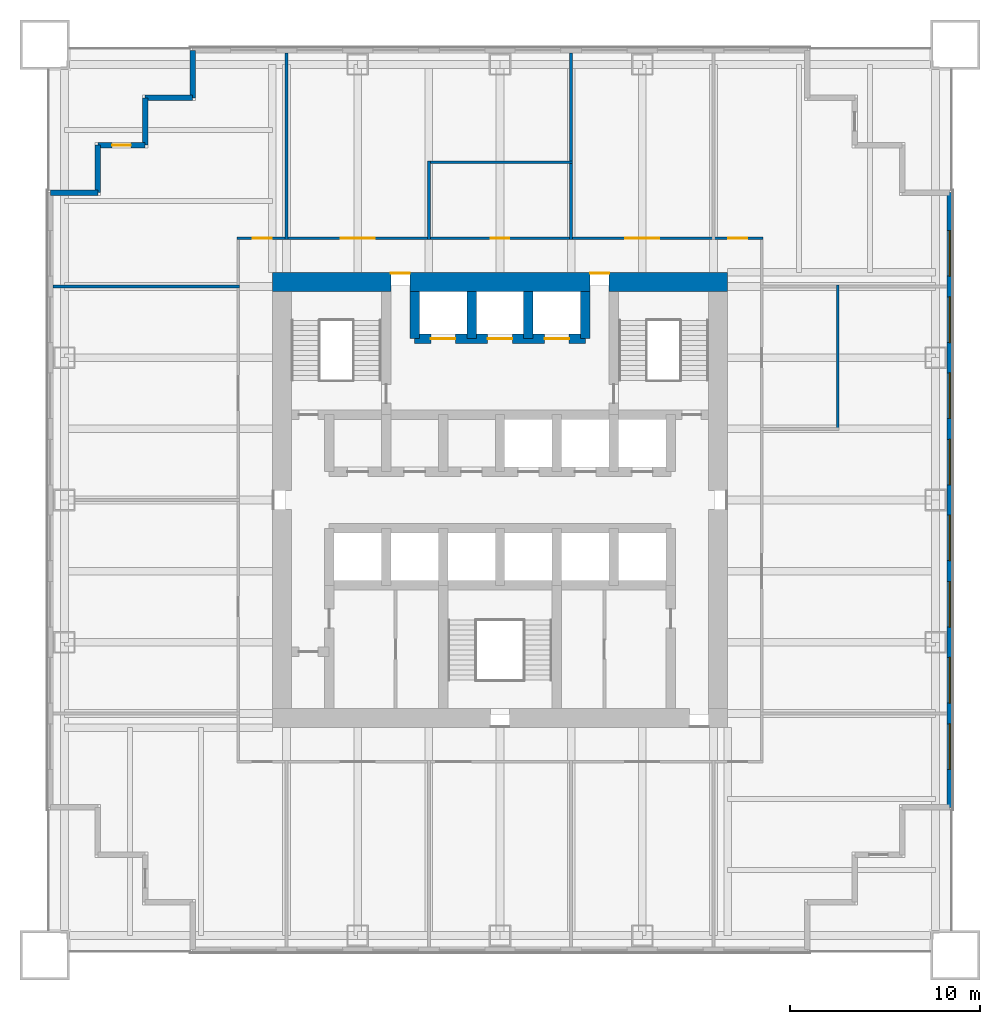
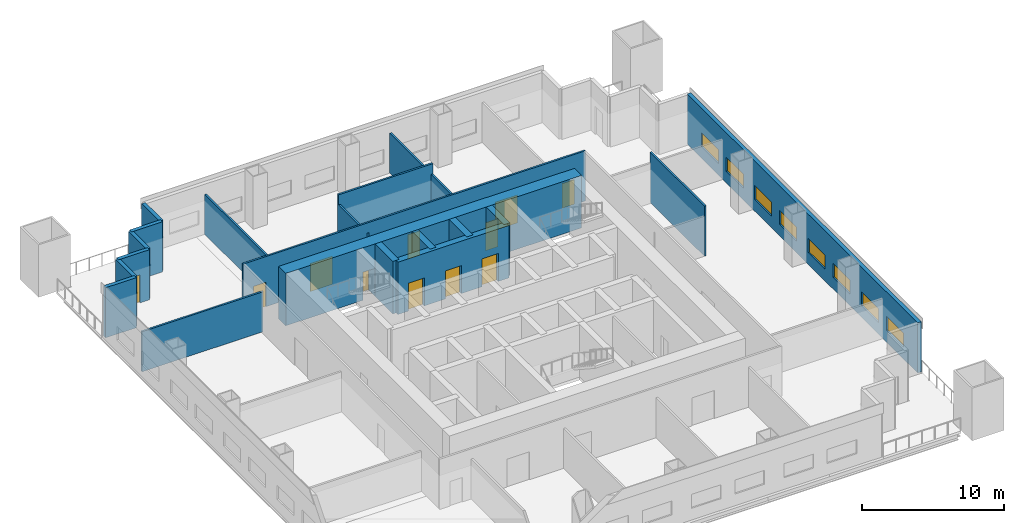
# One storey, part 4 of 7: 20 walls, 11 doors, 8 windows, 19 openings.
"""IFC4 building model written with IfcOpenShell, lengths in metres."""

from ifc_helpers import new_model, si_unit, direction, frame, frame_2d, origin, place, context, subcontext, project, spatial, rectangle, extrude, material, layer, layer_set, type_object, element, fill, save


model = new_model("IFC4")

# Units and contexts
model_context = context("Model", 3, precision=1e-05, world=origin(), true_north=direction((0.0, 1.0)))
body_context = subcontext(model_context, "Body", "Model", "MODEL_VIEW")
ifc_project = project(units=[si_unit("LENGTHUNIT", "METRE"), si_unit("AREAUNIT", "SQUARE_METRE"), si_unit("VOLUMEUNIT", "CUBIC_METRE"), si_unit("PLANEANGLEUNIT", "RADIAN"), si_unit("MASSUNIT", "GRAM", prefix="KILO")], contexts=[model_context])

# Site, building, storey
site_placement = place(None, origin())
site = spatial("IfcSite", under=ifc_project, at=site_placement, CompositionType="ELEMENT")
building_placement = place(site_placement, origin())
building = spatial("IfcBuilding", under=site, at=building_placement, Name="Tarangal Relay Tower", CompositionType="ELEMENT")
storey_placement = place(building_placement, frame((0.0, 0.0, 131.39990234375)))
storey = spatial("IfcBuildingStorey", under=building, at=storey_placement, Name="L26", CompositionType="ELEMENT", Elevation=131.39990234375)

# Wall, openings, doors
ifc_material_1 = material(Name="Concrete fc' 60 MPa", Category="concrete")
ifc_layer_1 = layer(ifc_material_1, 0.5)
ifc_layer_set_1 = layer_set([ifc_layer_1], Name="Core inner wall 500")
wall_type_1 = type_object("IfcWallType", Name="Core inner wall 500", PredefinedType="SHEAR", material=ifc_layer_set_1)
wall_1_placement = place(storey_placement, frame((-4.5, 8.5, 0.0), z_axis=(0.0, 0.0, 1.0), x_axis=(1.0, 0.0, 0.0)))
wall_1 = element("IfcWall", 1, at=wall_1_placement, inside=storey, type_object=wall_type_1, Name="Core wall Y85 L26", PredefinedType="SHEAR", context=body_context, shape_type="SweptSolid", body=[
    extrude(rectangle(XDim=9.0, YDim=0.5, at=frame_2d((4.5, 0.0))), origin(), (0.0, 0.0, 1.0), 4.5),
])
opening_1_placement = place(wall_1_placement, frame((0.85009765625, 0.0, 0.0)))
opening_1 = element("IfcOpeningElement", 2, at=opening_1_placement, cuts=wall_1, Name="Opening LD2", PredefinedType="OPENING", context=body_context, shape_type="SweptSolid", body=[
    extrude(rectangle(XDim=1.300048828125, YDim=2.39990234375, at=frame_2d((0.64990234375, 1.199951171875))), frame((0.0, 0.260009765625, 0.0), z_axis=(0.0, -1.0, 0.0), x_axis=(1.0, 0.0, 0.0)), (0.0, 0.0, 1.0), 0.52001953125),
])
opening_2_placement = place(wall_1_placement, frame((6.85009765625, 0.0, 0.0)))
opening_2 = element("IfcOpeningElement", 3, at=opening_2_placement, cuts=wall_1, Name="Opening LD2", PredefinedType="OPENING", context=body_context, shape_type="SweptSolid", body=[
    extrude(rectangle(XDim=1.300048828125, YDim=2.39990234375, at=frame_2d((0.64990234375, 1.199951171875))), frame((0.0, 0.260009765625, 0.0), z_axis=(0.0, -1.0, 0.0), x_axis=(1.0, 0.0, 0.0)), (0.0, 0.0, 1.0), 0.52001953125),
])
opening_3_placement = place(wall_1_placement, frame((3.85009765625, 0.0, 0.0)))
opening_3 = element("IfcOpeningElement", 4, at=opening_3_placement, cuts=wall_1, Name="Opening LD2", PredefinedType="OPENING", context=body_context, shape_type="SweptSolid", body=[
    extrude(rectangle(XDim=1.300048828125, YDim=2.39990234375, at=frame_2d((0.64990234375, 1.199951171875))), frame((0.0, 0.260009765625, 0.0), z_axis=(0.0, -1.0, 0.0), x_axis=(1.0, 0.0, 0.0)), (0.0, 0.0, 1.0), 0.52001953125),
])
ifc_material_2 = material(Name="Steel door with hardwood frame", Category="steel")
door_type_1 = type_object("IfcDoorType", Name="Lift landing door 1300 x 2400", OperationType="SLIDING_TO_LEFT", PredefinedType="DOOR", material=ifc_material_2)
door_1_placement = place(opening_1_placement, origin())
door_1 = element("IfcDoor", 5, at=door_1_placement, inside=storey, type_object=door_type_1, Name="Lift FF1 landing door L26", OperationType="SLIDING_TO_LEFT", OverallHeight=2.39990234375, OverallWidth=1.300048828125, PredefinedType="DOOR", context=body_context, shape_type="SweptSolid", body=[
    extrude(rectangle(XDim=1.300048828125, YDim=2.39990234375, at=frame_2d((0.64990234375, 1.199951171875))), frame((0.0, 0.02490234375, 0.0), z_axis=(0.0, -1.0, 0.0), x_axis=(1.0, 0.0, 0.0)), (0.0, 0.0, 1.0), 0.050048828125),
])
fill(opening_1, door_1)
door_2_placement = place(opening_2_placement, origin())
door_2 = element("IfcDoor", 6, at=door_2_placement, inside=storey, type_object=door_type_1, Name="Lift FF2 landing door L26", OperationType="SLIDING_TO_LEFT", OverallHeight=2.39990234375, OverallWidth=1.300048828125, PredefinedType="DOOR", context=body_context, shape_type="SweptSolid", body=[
    extrude(rectangle(XDim=1.300048828125, YDim=2.39990234375, at=frame_2d((0.64990234375, 1.199951171875))), frame((0.0, 0.02490234375, 0.0), z_axis=(0.0, -1.0, 0.0), x_axis=(1.0, 0.0, 0.0)), (0.0, 0.0, 1.0), 0.050048828125),
])
fill(opening_2, door_2)
door_3_placement = place(opening_3_placement, origin())
door_3 = element("IfcDoor", 7, at=door_3_placement, inside=storey, type_object=door_type_1, Name="Lift SV1 landing door L26", OperationType="SLIDING_TO_LEFT", OverallHeight=2.39990234375, OverallWidth=1.300048828125, PredefinedType="DOOR", context=body_context, shape_type="SweptSolid", body=[
    extrude(rectangle(XDim=1.300048828125, YDim=2.39990234375, at=frame_2d((0.64990234375, 1.199951171875))), frame((0.0, 0.02490234375, 0.0), z_axis=(0.0, -1.0, 0.0), x_axis=(1.0, 0.0, 0.0)), (0.0, 0.0, 1.0), 0.050048828125),
])
fill(opening_3, door_3)

# Walls
for number, where, z_axis, x_axis, name in (
    (8, (-4.5, 8.5, 0.0), (0.0, 0.0, 1.0), (0.0, 1.0, 0.0), "Core wall XM45 L26"),
    (9, (4.5, 8.5, 0.0), (0.0, 0.0, 1.0), (0.0, 1.0, 0.0), "Core wall X45 L26"),
    (10, (-1.5, 8.5, 0.0), (0.0, 0.0, 1.0), (0.0, 1.0, 0.0), "Core wall XM15 L26"),
    (11, (1.5, 8.5, 0.0), (0.0, 0.0, 1.0), (0.0, 1.0, 0.0), "Core wall X15 L26"),
):
    element("IfcWall", number, at=place(storey_placement, frame(where, z_axis=z_axis, x_axis=x_axis)), inside=storey, type_object=wall_type_1, Name=name, PredefinedType="SHEAR", context=body_context, shape_type="SweptSolid", body=[
        extrude(rectangle(XDim=2.5, YDim=0.5, at=frame_2d((1.25, 0.0))), origin(), (0.0, 0.0, 1.0), 4.5),
    ])

# Wall, openings, doors
ifc_layer_2 = layer(ifc_material_1, 1.0)
ifc_layer_set_2 = layer_set([ifc_layer_2], Name="Core wall 1000")
wall_type_2 = type_object("IfcWallType", Name="Core wall 1000", PredefinedType="SHEAR", material=ifc_layer_set_2)
wall_2_placement = place(storey_placement, frame((-12.0, 11.5, 0.0), z_axis=(0.0, 0.0, 1.0), x_axis=(1.0, 0.0, 0.0)))
wall_2 = element("IfcWall", 12, at=wall_2_placement, inside=storey, type_object=wall_type_2, Name="Core wall N L26", PredefinedType="SHEAR", context=body_context, shape_type="SweptSolid", body=[
    extrude(rectangle(XDim=24.0, YDim=1.0, at=frame_2d((12.0, 0.0))), origin(), (0.0, 0.0, 1.0), 4.5),
])
opening_4_placement = place(wall_2_placement, frame((6.25, 0.0, 0.0)))
opening_4 = element("IfcOpeningElement", 13, at=opening_4_placement, cuts=wall_2, Name="Opening FD3", PredefinedType="OPENING", context=body_context, shape_type="SweptSolid", body=[
    extrude(rectangle(XDim=1.0, YDim=2.39990234375, at=frame_2d((0.5, 1.199951171875))), frame((0.0, 0.510009765625, 0.0), z_axis=(0.0, -1.0, 0.0), x_axis=(1.0, 0.0, 0.0)), (0.0, 0.0, 1.0), 1.02001953125),
])
opening_5_placement = place(wall_2_placement, frame((16.75, 0.0, 0.0)))
opening_5 = element("IfcOpeningElement", 14, at=opening_5_placement, cuts=wall_2, Name="Opening FD3", PredefinedType="OPENING", context=body_context, shape_type="SweptSolid", body=[
    extrude(rectangle(XDim=1.0, YDim=2.39990234375, at=frame_2d((0.5, 1.199951171875))), frame((0.0, 0.510009765625, 0.0), z_axis=(0.0, -1.0, 0.0), x_axis=(1.0, 0.0, 0.0)), (0.0, 0.0, 1.0), 1.02001953125),
])
door_type_2 = type_object("IfcDoorType", Name="Fire door 1000 x 2400 core entry", OperationType="SINGLE_SWING_RIGHT", PredefinedType="DOOR", material=ifc_material_2)
door_4_placement = place(opening_4_placement, origin())
door_4 = element("IfcDoor", 15, at=door_4_placement, inside=storey, type_object=door_type_2, Name="Core entry door north west L26", OperationType="SINGLE_SWING_RIGHT", OverallHeight=2.39990234375, OverallWidth=1.0, PredefinedType="DOOR", context=body_context, shape_type="SweptSolid", body=[
    extrude(rectangle(XDim=1.0, YDim=2.39990234375, at=frame_2d((0.5, 1.199951171875))), frame((0.0, 0.48486328125, 0.0), z_axis=(0.0, -1.0, 0.0), x_axis=(1.0, 0.0, 0.0)), (0.0, 0.0, 1.0), 0.050048828125),
])
fill(opening_4, door_4)
door_5_placement = place(opening_5_placement, origin())
door_5 = element("IfcDoor", 16, at=door_5_placement, inside=storey, type_object=door_type_2, Name="Core entry door north east L26", OperationType="SINGLE_SWING_RIGHT", OverallHeight=2.39990234375, OverallWidth=1.0, PredefinedType="DOOR", context=body_context, shape_type="SweptSolid", body=[
    extrude(rectangle(XDim=1.0, YDim=2.39990234375, at=frame_2d((0.5, 1.199951171875))), frame((0.0, 0.48486328125, 0.0), z_axis=(0.0, -1.0, 0.0), x_axis=(1.0, 0.0, 0.0)), (0.0, 0.0, 1.0), 0.050048828125),
])
fill(opening_5, door_5)

# Wall, openings, windows
ifc_material_3 = material(Name="Insulated precast concrete fc' 40 MPa", Category="concrete")
ifc_layer_3 = layer(ifc_material_3, 0.300048828125)
ifc_layer_set_3 = layer_set([ifc_layer_3], Name="Insulated precast concrete fc' 40 MPa")
wall_type_3 = type_object("IfcWallType", Name="Facade wall precast 300", PredefinedType="SOLIDWALL", material=ifc_layer_set_3)
wall_3_placement = place(storey_placement, frame((23.699951171875, 16.199951171875, 0.0), z_axis=(0.0, 0.0, 1.0), x_axis=(0.0, -1.0, 0.0)))
wall_3 = element("IfcWall", 17, at=wall_3_placement, inside=storey, type_object=wall_type_3, Name="Facade wall E facade L26", PredefinedType="SOLIDWALL", context=body_context, shape_type="SweptSolid", body=[
    extrude(rectangle(XDim=32.39990234375, YDim=0.300048828125, at=frame_2d((16.199951171875, 0.0))), origin(), (0.0, 0.0, 1.0), 4.300048828125),
])
opening_6_placement = place(wall_3_placement, frame((2.0, 0.0, 1.0)))
opening_6 = element("IfcOpeningElement", 18, at=opening_6_placement, cuts=wall_3, Name="Opening WN1", PredefinedType="OPENING", context=body_context, shape_type="SweptSolid", body=[
    extrude(rectangle(XDim=2.39990234375, YDim=1.199951171875, at=frame_2d((1.199951171875, 0.60009765625))), frame((0.0, 0.159912109375, 0.0), z_axis=(0.0, -1.0, 0.0), x_axis=(1.0, 0.0, 0.0)), (0.0, 0.0, 1.0), 0.320068359375),
])
opening_7_placement = place(wall_3_placement, frame((5.5, 0.0, 1.0)))
opening_7 = element("IfcOpeningElement", 19, at=opening_7_placement, cuts=wall_3, Name="Opening WN1", PredefinedType="OPENING", context=body_context, shape_type="SweptSolid", body=[
    extrude(rectangle(XDim=2.39990234375, YDim=1.199951171875, at=frame_2d((1.199951171875, 0.60009765625))), frame((0.0, 0.159912109375, 0.0), z_axis=(0.0, -1.0, 0.0), x_axis=(1.0, 0.0, 0.0)), (0.0, 0.0, 1.0), 0.320068359375),
])
opening_8_placement = place(wall_3_placement, frame((9.5, 0.0, 1.0)))
opening_8 = element("IfcOpeningElement", 20, at=opening_8_placement, cuts=wall_3, Name="Opening WN1", PredefinedType="OPENING", context=body_context, shape_type="SweptSolid", body=[
    extrude(rectangle(XDim=2.39990234375, YDim=1.199951171875, at=frame_2d((1.199951171875, 0.60009765625))), frame((0.0, 0.159912109375, 0.0), z_axis=(0.0, -1.0, 0.0), x_axis=(1.0, 0.0, 0.0)), (0.0, 0.0, 1.0), 0.320068359375),
])
opening_9_placement = place(wall_3_placement, frame((13.0, 0.0, 1.0)))
opening_9 = element("IfcOpeningElement", 21, at=opening_9_placement, cuts=wall_3, Name="Opening WN1", PredefinedType="OPENING", context=body_context, shape_type="SweptSolid", body=[
    extrude(rectangle(XDim=2.39990234375, YDim=1.199951171875, at=frame_2d((1.199951171875, 0.60009765625))), frame((0.0, 0.159912109375, 0.0), z_axis=(0.0, -1.0, 0.0), x_axis=(1.0, 0.0, 0.0)), (0.0, 0.0, 1.0), 0.320068359375),
])
opening_10_placement = place(wall_3_placement, frame((17.0, 0.0, 1.0)))
opening_10 = element("IfcOpeningElement", 22, at=opening_10_placement, cuts=wall_3, Name="Opening WN1", PredefinedType="OPENING", context=body_context, shape_type="SweptSolid", body=[
    extrude(rectangle(XDim=2.39990234375, YDim=1.199951171875, at=frame_2d((1.199951171875, 0.60009765625))), frame((0.0, 0.159912109375, 0.0), z_axis=(0.0, -1.0, 0.0), x_axis=(1.0, 0.0, 0.0)), (0.0, 0.0, 1.0), 0.320068359375),
])
opening_11_placement = place(wall_3_placement, frame((20.5, 0.0, 1.0)))
opening_11 = element("IfcOpeningElement", 23, at=opening_11_placement, cuts=wall_3, Name="Opening WN1", PredefinedType="OPENING", context=body_context, shape_type="SweptSolid", body=[
    extrude(rectangle(XDim=2.39990234375, YDim=1.199951171875, at=frame_2d((1.199951171875, 0.60009765625))), frame((0.0, 0.159912109375, 0.0), z_axis=(0.0, -1.0, 0.0), x_axis=(1.0, 0.0, 0.0)), (0.0, 0.0, 1.0), 0.320068359375),
])
opening_12_placement = place(wall_3_placement, frame((24.5, 0.0, 1.0)))
opening_12 = element("IfcOpeningElement", 24, at=opening_12_placement, cuts=wall_3, Name="Opening WN1", PredefinedType="OPENING", context=body_context, shape_type="SweptSolid", body=[
    extrude(rectangle(XDim=2.39990234375, YDim=1.199951171875, at=frame_2d((1.199951171875, 0.60009765625))), frame((0.0, 0.159912109375, 0.0), z_axis=(0.0, -1.0, 0.0), x_axis=(1.0, 0.0, 0.0)), (0.0, 0.0, 1.0), 0.320068359375),
])
opening_13_placement = place(wall_3_placement, frame((28.0, 0.0, 1.0)))
opening_13 = element("IfcOpeningElement", 25, at=opening_13_placement, cuts=wall_3, Name="Opening WN1", PredefinedType="OPENING", context=body_context, shape_type="SweptSolid", body=[
    extrude(rectangle(XDim=2.39990234375, YDim=1.199951171875, at=frame_2d((1.199951171875, 0.60009765625))), frame((0.0, 0.159912109375, 0.0), z_axis=(0.0, -1.0, 0.0), x_axis=(1.0, 0.0, 0.0)), (0.0, 0.0, 1.0), 0.320068359375),
])
ifc_material_4 = material(Name="Dark tinted double glazing in black aluminium frame", Category="aluminium")
window_type = type_object("IfcWindowType", Name="Ribbon window 2400 x 1200", PartitioningType="SINGLE_PANEL", PredefinedType="WINDOW", material=ifc_material_4)
window_1_placement = place(opening_6_placement, origin())
window_1 = element("IfcWindow", 26, at=window_1_placement, inside=storey, type_object=window_type, Name="Ribbon window WN1 E facade L26", OverallHeight=1.199951171875, OverallWidth=2.39990234375, PartitioningType="SINGLE_PANEL", PredefinedType="WINDOW", context=body_context, shape_type="SweptSolid", body=[
    extrude(rectangle(XDim=2.39990234375, YDim=1.199951171875, at=frame_2d((1.199951171875, 0.60009765625))), frame((0.0, 0.030029296875, 0.0), z_axis=(0.0, -1.0, 0.0), x_axis=(1.0, 0.0, 0.0)), (0.0, 0.0, 1.0), 0.06005859375),
])
fill(opening_6, window_1)
window_2_placement = place(opening_7_placement, origin())
window_2 = element("IfcWindow", 27, at=window_2_placement, inside=storey, type_object=window_type, Name="Ribbon window WN1 E facade L26", OverallHeight=1.199951171875, OverallWidth=2.39990234375, PartitioningType="SINGLE_PANEL", PredefinedType="WINDOW", context=body_context, shape_type="SweptSolid", body=[
    extrude(rectangle(XDim=2.39990234375, YDim=1.199951171875, at=frame_2d((1.199951171875, 0.60009765625))), frame((0.0, 0.030029296875, 0.0), z_axis=(0.0, -1.0, 0.0), x_axis=(1.0, 0.0, 0.0)), (0.0, 0.0, 1.0), 0.06005859375),
])
fill(opening_7, window_2)
window_3_placement = place(opening_8_placement, origin())
window_3 = element("IfcWindow", 28, at=window_3_placement, inside=storey, type_object=window_type, Name="Ribbon window WN1 E facade L26", OverallHeight=1.199951171875, OverallWidth=2.39990234375, PartitioningType="SINGLE_PANEL", PredefinedType="WINDOW", context=body_context, shape_type="SweptSolid", body=[
    extrude(rectangle(XDim=2.39990234375, YDim=1.199951171875, at=frame_2d((1.199951171875, 0.60009765625))), frame((0.0, 0.030029296875, 0.0), z_axis=(0.0, -1.0, 0.0), x_axis=(1.0, 0.0, 0.0)), (0.0, 0.0, 1.0), 0.06005859375),
])
fill(opening_8, window_3)
window_4_placement = place(opening_9_placement, origin())
window_4 = element("IfcWindow", 29, at=window_4_placement, inside=storey, type_object=window_type, Name="Ribbon window WN1 E facade L26", OverallHeight=1.199951171875, OverallWidth=2.39990234375, PartitioningType="SINGLE_PANEL", PredefinedType="WINDOW", context=body_context, shape_type="SweptSolid", body=[
    extrude(rectangle(XDim=2.39990234375, YDim=1.199951171875, at=frame_2d((1.199951171875, 0.60009765625))), frame((0.0, 0.030029296875, 0.0), z_axis=(0.0, -1.0, 0.0), x_axis=(1.0, 0.0, 0.0)), (0.0, 0.0, 1.0), 0.06005859375),
])
fill(opening_9, window_4)
window_5_placement = place(opening_10_placement, origin())
window_5 = element("IfcWindow", 30, at=window_5_placement, inside=storey, type_object=window_type, Name="Ribbon window WN1 E facade L26", OverallHeight=1.199951171875, OverallWidth=2.39990234375, PartitioningType="SINGLE_PANEL", PredefinedType="WINDOW", context=body_context, shape_type="SweptSolid", body=[
    extrude(rectangle(XDim=2.39990234375, YDim=1.199951171875, at=frame_2d((1.199951171875, 0.60009765625))), frame((0.0, 0.030029296875, 0.0), z_axis=(0.0, -1.0, 0.0), x_axis=(1.0, 0.0, 0.0)), (0.0, 0.0, 1.0), 0.06005859375),
])
fill(opening_10, window_5)
window_6_placement = place(opening_11_placement, origin())
window_6 = element("IfcWindow", 31, at=window_6_placement, inside=storey, type_object=window_type, Name="Ribbon window WN1 E facade L26", OverallHeight=1.199951171875, OverallWidth=2.39990234375, PartitioningType="SINGLE_PANEL", PredefinedType="WINDOW", context=body_context, shape_type="SweptSolid", body=[
    extrude(rectangle(XDim=2.39990234375, YDim=1.199951171875, at=frame_2d((1.199951171875, 0.60009765625))), frame((0.0, 0.030029296875, 0.0), z_axis=(0.0, -1.0, 0.0), x_axis=(1.0, 0.0, 0.0)), (0.0, 0.0, 1.0), 0.06005859375),
])
fill(opening_11, window_6)
window_7_placement = place(opening_12_placement, origin())
window_7 = element("IfcWindow", 32, at=window_7_placement, inside=storey, type_object=window_type, Name="Ribbon window WN1 E facade L26", OverallHeight=1.199951171875, OverallWidth=2.39990234375, PartitioningType="SINGLE_PANEL", PredefinedType="WINDOW", context=body_context, shape_type="SweptSolid", body=[
    extrude(rectangle(XDim=2.39990234375, YDim=1.199951171875, at=frame_2d((1.199951171875, 0.60009765625))), frame((0.0, 0.030029296875, 0.0), z_axis=(0.0, -1.0, 0.0), x_axis=(1.0, 0.0, 0.0)), (0.0, 0.0, 1.0), 0.06005859375),
])
fill(opening_12, window_7)
window_8_placement = place(opening_13_placement, origin())
window_8 = element("IfcWindow", 33, at=window_8_placement, inside=storey, type_object=window_type, Name="Ribbon window WN1 E facade L26", OverallHeight=1.199951171875, OverallWidth=2.39990234375, PartitioningType="SINGLE_PANEL", PredefinedType="WINDOW", context=body_context, shape_type="SweptSolid", body=[
    extrude(rectangle(XDim=2.39990234375, YDim=1.199951171875, at=frame_2d((1.199951171875, 0.60009765625))), frame((0.0, 0.030029296875, 0.0), z_axis=(0.0, -1.0, 0.0), x_axis=(1.0, 0.0, 0.0)), (0.0, 0.0, 1.0), 0.06005859375),
])
fill(opening_13, window_8)

# Walls
for number, where, z_axis, x_axis, name in (
    (34, (-23.699951171875, 16.199951171875, 0.0), (0.0, 0.0, 1.0), (1.0, 0.0, 0.0), "Facade wall W facade L26"),
    (35, (-21.199951171875, 16.199951171875, 0.0), (0.0, 0.0, 1.0), (0.0, 1.0, 0.0), "Facade wall W facade L26"),
):
    element("IfcWall", number, at=place(storey_placement, frame(where, z_axis=z_axis, x_axis=x_axis)), inside=storey, type_object=wall_type_3, Name=name, PredefinedType="SOLIDWALL", context=body_context, shape_type="SweptSolid", body=[
        extrude(rectangle(XDim=2.5, YDim=0.300048828125, at=frame_2d((1.25, 0.0))), origin(), (0.0, 0.0, 1.0), 4.300048828125),
    ])

# Wall, opening, door
wall_4_placement = place(storey_placement, frame((-21.199951171875, 18.699951171875, 0.0), z_axis=(0.0, 0.0, 1.0), x_axis=(1.0, 0.0, 0.0)))
wall_4 = element("IfcWall", 36, at=wall_4_placement, inside=storey, type_object=wall_type_3, Name="Facade wall W facade L26", PredefinedType="SOLIDWALL", context=body_context, shape_type="SweptSolid", body=[
    extrude(rectangle(XDim=2.5, YDim=0.300048828125, at=frame_2d((1.25, 0.0))), origin(), (0.0, 0.0, 1.0), 4.300048828125),
])
opening_14_placement = place(wall_4_placement, frame((0.75, 0.0, 0.0)))
opening_14 = element("IfcOpeningElement", 37, at=opening_14_placement, cuts=wall_4, Name="Opening TD1", PredefinedType="OPENING", context=body_context, shape_type="SweptSolid", body=[
    extrude(rectangle(XDim=1.0, YDim=2.39990234375, at=frame_2d((0.5, 1.199951171875))), frame((0.0, 0.159912109375, 0.0), z_axis=(0.0, -1.0, 0.0), x_axis=(1.0, 0.0, 0.0)), (0.0, 0.0, 1.0), 0.320068359375),
])
ifc_material_5 = material(Name="Aluminium glazed door", Category="aluminium")
door_type_3 = type_object("IfcDoorType", Name="Terrace door 1000 x 2400", OperationType="SINGLE_SWING_RIGHT", PredefinedType="DOOR", material=ifc_material_5)
door_6_placement = place(opening_14_placement, origin())
door_6 = element("IfcDoor", 38, at=door_6_placement, inside=storey, type_object=door_type_3, Name="Terrace door TD1 NW L26", OperationType="SINGLE_SWING_RIGHT", OverallHeight=2.39990234375, OverallWidth=1.0, PredefinedType="DOOR", context=body_context, shape_type="SweptSolid", body=[
    extrude(rectangle(XDim=1.0, YDim=2.39990234375, at=frame_2d((0.5, 1.199951171875))), frame((0.0, 0.02490234375, 0.0), z_axis=(0.0, -1.0, 0.0), x_axis=(1.0, 0.0, 0.0)), (0.0, 0.0, 1.0), 0.050048828125),
])
fill(opening_14, door_6)

# Walls
for number, where, z_axis, x_axis, name in (
    (39, (-18.699951171875, 18.699951171875, 0.0), (0.0, 0.0, 1.0), (0.0, 1.0, 0.0), "Facade wall W facade L26"),
    (40, (-18.699951171875, 21.199951171875, 0.0), (0.0, 0.0, 1.0), (1.0, 0.0, 0.0), "Facade wall W facade L26"),
    (41, (-16.199951171875, 21.199951171875, 0.0), (0.0, 0.0, 1.0), (0.0, 1.0, 0.0), "Facade wall W facade L26"),
):
    element("IfcWall", number, at=place(storey_placement, frame(where, z_axis=z_axis, x_axis=x_axis)), inside=storey, type_object=wall_type_3, Name=name, PredefinedType="SOLIDWALL", context=body_context, shape_type="SweptSolid", body=[
        extrude(rectangle(XDim=2.5, YDim=0.300048828125, at=frame_2d((1.25, 0.0))), origin(), (0.0, 0.0, 1.0), 4.300048828125),
    ])
ifc_material_6 = material(Name="Gypsum board on steel studs", Category="steel")
ifc_layer_4 = layer(ifc_material_6, 0.14990234375)
ifc_layer_set_4 = layer_set([ifc_layer_4], Name="Partition 150")
wall_type_4 = type_object("IfcWallType", Name="Partition 150", PredefinedType="PARTITIONING", material=ifc_layer_set_4)
wall_5_placement = place(storey_placement, frame((-23.550048828125, 11.25, 0.0), z_axis=(0.0, 0.0, 1.0), x_axis=(1.0, 0.0, 0.0)))
element("IfcWall", 42, at=wall_5_placement, inside=storey, type_object=wall_type_4, Name="Partition PT1 L26", PredefinedType="PARTITIONING", context=body_context, shape_type="SweptSolid", body=[
    extrude(rectangle(XDim=9.824951171875, YDim=0.14990234375, at=frame_2d((4.91259765625, 0.0))), origin(), (0.0, 0.0, 1.0), 3.431396484375),
])

# Wall, openings, doors
wall_6_placement = place(storey_placement, frame((-13.875, 13.800048828125, 0.0), z_axis=(0.0, 0.0, 1.0), x_axis=(1.0, 0.0, 0.0)))
wall_6 = element("IfcWall", 43, at=wall_6_placement, inside=storey, type_object=wall_type_4, Name="Partition PT1 L26", PredefinedType="PARTITIONING", context=body_context, shape_type="SweptSolid", body=[
    extrude(rectangle(XDim=27.75, YDim=0.14990234375, at=frame_2d((13.875, 0.0))), origin(), (0.0, 0.0, 1.0), 4.300048828125),
])
opening_15_placement = place(wall_6_placement, frame((5.47509765625, 0.0, 0.0)))
opening_15 = element("IfcOpeningElement", 44, at=opening_15_placement, cuts=wall_6, Name="Opening DD1", PredefinedType="OPENING", context=body_context, shape_type="SweptSolid", body=[
    extrude(rectangle(XDim=1.800048828125, YDim=2.39990234375, at=frame_2d((0.89990234375, 1.199951171875))), frame((0.0, 0.0849609375, 0.0), z_axis=(0.0, -1.0, 0.0), x_axis=(1.0, 0.0, 0.0)), (0.0, 0.0, 1.0), 0.169921875),
])
opening_16_placement = place(wall_6_placement, frame((13.375, 0.0, 0.0)))
opening_16 = element("IfcOpeningElement", 45, at=opening_16_placement, cuts=wall_6, Name="Opening D2", PredefinedType="OPENING", context=body_context, shape_type="SweptSolid", body=[
    extrude(rectangle(XDim=1.0, YDim=2.10009765625, at=frame_2d((0.5, 1.050048828125))), frame((0.0, 0.0849609375, 0.0), z_axis=(0.0, -1.0, 0.0), x_axis=(1.0, 0.0, 0.0)), (0.0, 0.0, 1.0), 0.169921875),
])
opening_17_placement = place(wall_6_placement, frame((20.47509765625, 0.0, 0.0)))
opening_17 = element("IfcOpeningElement", 46, at=opening_17_placement, cuts=wall_6, Name="Opening DD1", PredefinedType="OPENING", context=body_context, shape_type="SweptSolid", body=[
    extrude(rectangle(XDim=1.800048828125, YDim=2.39990234375, at=frame_2d((0.89990234375, 1.199951171875))), frame((0.0, 0.0849609375, 0.0), z_axis=(0.0, -1.0, 0.0), x_axis=(1.0, 0.0, 0.0)), (0.0, 0.0, 1.0), 0.169921875),
])
opening_18_placement = place(wall_6_placement, frame((25.89990234375, 0.0, 0.0)))
opening_18 = element("IfcOpeningElement", 47, at=opening_18_placement, cuts=wall_6, Name="Opening D2", PredefinedType="OPENING", context=body_context, shape_type="SweptSolid", body=[
    extrude(rectangle(XDim=1.0, YDim=2.10009765625, at=frame_2d((0.5, 1.050048828125))), frame((0.0, 0.0849609375, 0.0), z_axis=(0.0, -1.0, 0.0), x_axis=(1.0, 0.0, 0.0)), (0.0, 0.0, 1.0), 0.169921875),
])
opening_19_placement = place(wall_6_placement, frame((0.85009765625, 0.0, 0.0)))
opening_19 = element("IfcOpeningElement", 48, at=opening_19_placement, cuts=wall_6, Name="Opening D2", PredefinedType="OPENING", context=body_context, shape_type="SweptSolid", body=[
    extrude(rectangle(XDim=1.0, YDim=2.10009765625, at=frame_2d((0.5, 1.050048828125))), frame((0.0, 0.0849609375, 0.0), z_axis=(0.0, -1.0, 0.0), x_axis=(1.0, 0.0, 0.0)), (0.0, 0.0, 1.0), 0.169921875),
])
ifc_material_7 = material(Name="Hardwood door", Category="wood")
door_type_4 = type_object("IfcDoorType", Name="Door 1000 x 2100", OperationType="SINGLE_SWING_LEFT", PredefinedType="DOOR", material=ifc_material_7)
door_7_placement = place(opening_16_placement, origin())
door_7 = element("IfcDoor", 49, at=door_7_placement, inside=storey, type_object=door_type_4, Name="Door D2 to carrier meeting room L26-03", OperationType="SINGLE_SWING_LEFT", OverallHeight=2.10009765625, OverallWidth=1.0, PredefinedType="DOOR", context=body_context, shape_type="SweptSolid", body=[
    extrude(rectangle(XDim=1.0, YDim=2.10009765625, at=frame_2d((0.5, 1.050048828125))), frame((0.0, 0.02490234375, 0.0), z_axis=(0.0, -1.0, 0.0), x_axis=(1.0, 0.0, 0.0)), (0.0, 0.0, 1.0), 0.050048828125),
])
fill(opening_16, door_7)
door_8_placement = place(opening_18_placement, origin())
door_8 = element("IfcDoor", 50, at=door_8_placement, inside=storey, type_object=door_type_4, Name="Door D2 to carrier staff office L26-12", OperationType="SINGLE_SWING_LEFT", OverallHeight=2.10009765625, OverallWidth=1.0, PredefinedType="DOOR", context=body_context, shape_type="SweptSolid", body=[
    extrude(rectangle(XDim=1.0, YDim=2.10009765625, at=frame_2d((0.5, 1.050048828125))), frame((0.0, 0.02490234375, 0.0), z_axis=(0.0, -1.0, 0.0), x_axis=(1.0, 0.0, 0.0)), (0.0, 0.0, 1.0), 0.050048828125),
])
fill(opening_18, door_8)
door_9_placement = place(opening_19_placement, origin())
door_9 = element("IfcDoor", 51, at=door_9_placement, inside=storey, type_object=door_type_4, Name="Door D2 to rack staging room L26-15", OperationType="SINGLE_SWING_LEFT", OverallHeight=2.10009765625, OverallWidth=1.0, PredefinedType="DOOR", context=body_context, shape_type="SweptSolid", body=[
    extrude(rectangle(XDim=1.0, YDim=2.10009765625, at=frame_2d((0.5, 1.050048828125))), frame((0.0, 0.02490234375, 0.0), z_axis=(0.0, -1.0, 0.0), x_axis=(1.0, 0.0, 0.0)), (0.0, 0.0, 1.0), 0.050048828125),
])
fill(opening_19, door_9)
door_type_5 = type_object("IfcDoorType", Name="Equipment double door 1800 x 2400", OperationType="DOUBLE_DOOR_SINGLE_SWING", PredefinedType="DOOR", material=ifc_material_2)
door_10_placement = place(opening_15_placement, origin())
door_10 = element("IfcDoor", 52, at=door_10_placement, inside=storey, type_object=door_type_5, Name="Door DD1 to carrier equipment room L26-02", OperationType="DOUBLE_DOOR_SINGLE_SWING", OverallHeight=2.39990234375, OverallWidth=1.800048828125, PredefinedType="DOOR", context=body_context, shape_type="SweptSolid", body=[
    extrude(rectangle(XDim=1.800048828125, YDim=2.39990234375, at=frame_2d((0.89990234375, 1.199951171875))), frame((0.0, 0.02490234375, 0.0), z_axis=(0.0, -1.0, 0.0), x_axis=(1.0, 0.0, 0.0)), (0.0, 0.0, 1.0), 0.050048828125),
])
fill(opening_15, door_10)
door_11_placement = place(opening_17_placement, origin())
door_11 = element("IfcDoor", 53, at=door_11_placement, inside=storey, type_object=door_type_5, Name="Door DD1 to carrier equipment room L26-04", OperationType="DOUBLE_DOOR_SINGLE_SWING", OverallHeight=2.39990234375, OverallWidth=1.800048828125, PredefinedType="DOOR", context=body_context, shape_type="SweptSolid", body=[
    extrude(rectangle(XDim=1.800048828125, YDim=2.39990234375, at=frame_2d((0.89990234375, 1.199951171875))), frame((0.0, 0.02490234375, 0.0), z_axis=(0.0, -1.0, 0.0), x_axis=(1.0, 0.0, 0.0)), (0.0, 0.0, 1.0), 0.050048828125),
])
fill(opening_17, door_11)

# Walls
wall_7_placement = place(storey_placement, frame((-3.824951171875, 17.800048828125, 0.0), z_axis=(0.0, 0.0, 1.0), x_axis=(1.0, 0.0, 0.0)))
element("IfcWall", 54, at=wall_7_placement, inside=storey, type_object=wall_type_4, Name="Partition PT1 L26", PredefinedType="PARTITIONING", context=body_context, shape_type="SweptSolid", body=[
    extrude(rectangle(XDim=7.64990234375, YDim=0.14990234375, at=frame_2d((3.824951171875, 0.0))), origin(), (0.0, 0.0, 1.0), 4.300048828125),
])
wall_8_placement = place(storey_placement, frame((-11.25, 13.72509765625, 0.0), z_axis=(0.0, 0.0, 1.0), x_axis=(0.0, 1.0, 0.0)))
element("IfcWall", 55, at=wall_8_placement, inside=storey, type_object=wall_type_4, Name="Partition PT1 L26", PredefinedType="PARTITIONING", context=body_context, shape_type="SweptSolid", body=[
    extrude(rectangle(XDim=9.824951171875, YDim=0.14990234375, at=frame_2d((4.91259765625, 0.0))), origin(), (0.0, 0.0, 1.0), 3.431396484375),
])
wall_9_placement = place(storey_placement, frame((-3.75, 13.72509765625, 0.0), z_axis=(0.0, 0.0, 1.0), x_axis=(0.0, 1.0, 0.0)))
element("IfcWall", 56, at=wall_9_placement, inside=storey, type_object=wall_type_4, Name="Partition PT1 L26", PredefinedType="PARTITIONING", context=body_context, shape_type="SweptSolid", body=[
    extrude(rectangle(XDim=4.14990234375, YDim=0.14990234375, at=frame_2d((2.074951171875, 0.0))), origin(), (0.0, 0.0, 1.0), 3.431396484375),
])
wall_10_placement = place(storey_placement, frame((3.75, 13.72509765625, 0.0), z_axis=(0.0, 0.0, 1.0), x_axis=(0.0, 1.0, 0.0)))
element("IfcWall", 57, at=wall_10_placement, inside=storey, type_object=wall_type_4, Name="Partition PT1 L26", PredefinedType="PARTITIONING", context=body_context, shape_type="SweptSolid", body=[
    extrude(rectangle(XDim=9.824951171875, YDim=0.14990234375, at=frame_2d((4.91259765625, 0.0))), origin(), (0.0, 0.0, 1.0), 3.431396484375),
])
wall_11_placement = place(storey_placement, frame((17.800048828125, 3.675048828125, 0.0), z_axis=(0.0, 0.0, 1.0), x_axis=(0.0, 1.0, 0.0)))
element("IfcWall", 58, at=wall_11_placement, inside=storey, type_object=wall_type_4, Name="Partition PT1 L26", PredefinedType="PARTITIONING", context=body_context, shape_type="SweptSolid", body=[
    extrude(rectangle(XDim=7.64990234375, YDim=0.14990234375, at=frame_2d((3.824951171875, 0.0))), origin(), (0.0, 0.0, 1.0), 4.300048828125),
])

save(model, "model.ifc")
